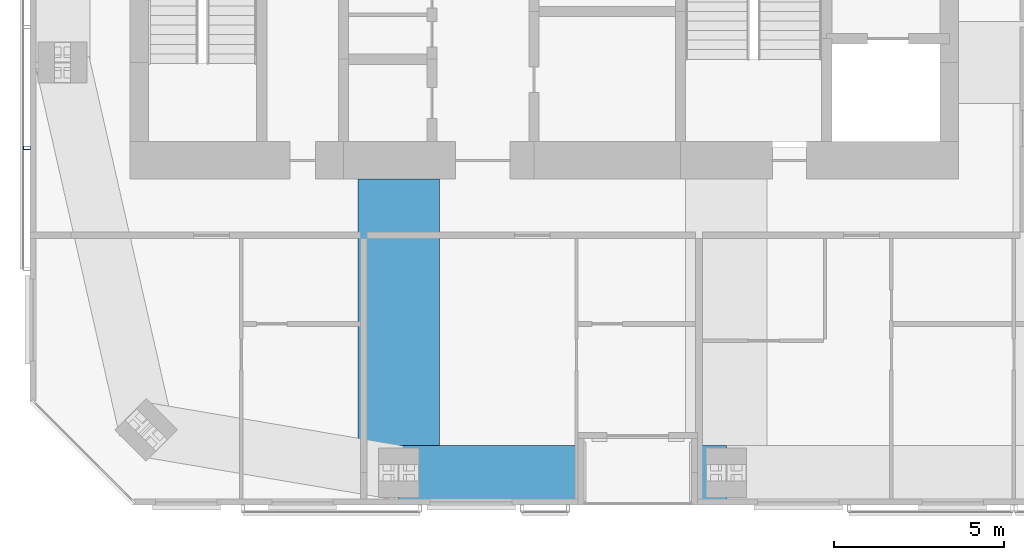
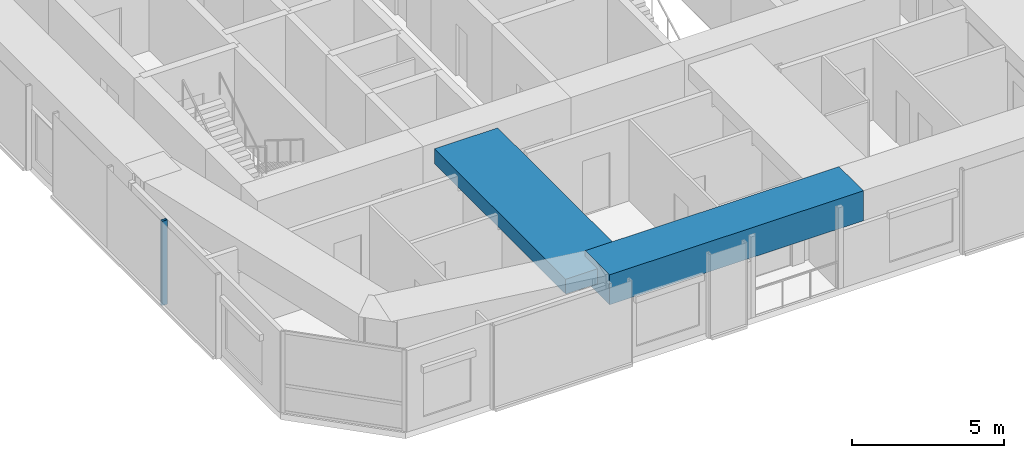
# One storey, part 3 of 20: 2 beams, 1 member, 1 element without a shape of its own.
"""IFC4 building model written with IfcOpenShell, lengths in metres."""

from ifc_helpers import new_model, si_unit, direction, frame, origin, origin_2d, place, context, subcontext, project, spatial, rectangle, hollow_rectangle, extrude, material, material_profile, profile_set, type_object, element, aggregate, save


model = new_model("IFC4")

# Units and contexts
model_context = context("Model", 3, precision=1e-05, world=origin(), true_north=direction((0.0, 1.0)))
body_context = subcontext(model_context, "Body", "Model", "MODEL_VIEW")
ifc_project = project(units=[si_unit("LENGTHUNIT", "METRE"), si_unit("AREAUNIT", "SQUARE_METRE"), si_unit("VOLUMEUNIT", "CUBIC_METRE"), si_unit("PLANEANGLEUNIT", "RADIAN"), si_unit("MASSUNIT", "GRAM", prefix="KILO")], contexts=[model_context])

# Site, building, storey
site_placement = place(None, origin())
site = spatial("IfcSite", under=ifc_project, at=site_placement, CompositionType="ELEMENT")
building_placement = place(site_placement, origin())
building = spatial("IfcBuilding", under=site, at=building_placement, Name="Jalousie Tower", CompositionType="ELEMENT")
storey_placement = place(building_placement, frame((0.0, 0.0, 245.949951171875)))
storey = spatial("IfcBuildingStorey", under=building, at=storey_placement, Name="L67", CompositionType="ELEMENT", Elevation=245.949951171875)

# Beams
ifc_material_1 = material(Name="Concrete f'c 40 MPa", Category="concrete")
ifc_material_profile_1 = material_profile(ifc_material_1, rectangle(XDim=1.60009765625, YDim=1.199951171875, at=origin_2d()), Name="RC 1600x1200")
ifc_profile_set_1 = profile_set([ifc_material_profile_1], Name="Concrete f'c 40 MPa")
beam_type_1 = type_object("IfcBeamType", Name="RC BEAM 1600x1200", PredefinedType="BEAM", material=ifc_profile_set_1)
beam_1_placement = place(storey_placement, frame((27.625, 0.949951171875, 2.900146484375), z_axis=(1.0, 0.0, 0.0), x_axis=(0.0, 1.0, 0.0)))
element("IfcBeam", 1, at=beam_1_placement, inside=storey, type_object=beam_type_1, Name="Edge band beam 02-03 under L68", PredefinedType="BEAM", context=body_context, shape_type="SweptSolid", body=[
    extrude(rectangle(XDim=1.60009765625, YDim=1.199951171875, at=origin_2d()), origin(), (0.0, 0.0, 1.0), 9.625),
])
ifc_material_2 = material(Name="Concrete f'c 40 MPa", Category="concrete")
ifc_material_profile_2 = material_profile(ifc_material_2, rectangle(XDim=2.39990234375, YDim=0.60009765625, at=origin_2d()), Name="RC 2400x600")
ifc_profile_set_2 = profile_set([ifc_material_profile_2], Name="Concrete f'c 40 MPa")
beam_type_2 = type_object("IfcBeamType", Name="RC BEAM 2400x600", PredefinedType="BEAM", material=ifc_profile_set_2)
beam_2_placement = place(storey_placement, frame((27.625, 0.949951171875, 2.9599609375), z_axis=(0.0, 1.0, 0.0), x_axis=(-1.0, 0.0, 0.0)))
element("IfcBeam", 2, at=beam_2_placement, inside=storey, type_object=beam_type_2, Name="Floor band beam under L68", PredefinedType="BEAM", context=body_context, shape_type="SweptSolid", body=[
    extrude(rectangle(XDim=2.39990234375, YDim=0.60009765625, at=origin_2d()), origin(), (0.0, 0.0, 1.0), 8.625),
])

# Curtain wall, member
ifc_material_3 = material(Name="Perforated aluminium sheet", Category="aluminium")
curtain_wall_type = type_object("IfcCurtainWallType", Name="SOLAR SCREEN SS-2", PredefinedType="USERDEFINED", material=ifc_material_3)
curtain_wall_placement = place(storey_placement, origin())
curtain_wall = element("IfcCurtainWall", 3, at=curtain_wall_placement, inside=storey, type_object=curtain_wall_type, Name="Solar screen L67", ObjectType="SOLAR SCREEN SS-2", PredefinedType="USERDEFINED")
ifc_material_4 = material(Name="Steel ASTM A500 Grade C", Category="steel")
ifc_material_profile_3 = material_profile(ifc_material_4, hollow_rectangle(XDim=0.1015625, YDim=0.203125, WallThickness=0.0078125, at=origin_2d()), Name="HSS8X4X5/16")
ifc_profile_set_3 = profile_set([ifc_material_profile_3], Name="Steel ASTM A500 Grade C")
member_type = type_object("IfcMemberType", Name="SOLAR SCREEN SS-2 MULLION", PredefinedType="MULLION", material=ifc_profile_set_3)
member_placement = place(storey_placement, frame((16.703369140625, 10.4921875, -0.119873046875), z_axis=(0.0, 0.0, 1.0), x_axis=(0.0, -1.0, 0.0)))
member = element("IfcMember", 4, at=member_placement, type_object=member_type, Name="SS2 post 3", PredefinedType="MULLION", context=body_context, shape_type="SweptSolid", body=[
    extrude(hollow_rectangle(XDim=0.1015625, YDim=0.203125, WallThickness=0.0078125, at=origin_2d()), origin(), (0.0, 0.0, 1.0), 3.3798828125),
])
aggregate(curtain_wall, [member])

save(model, "model.ifc")
